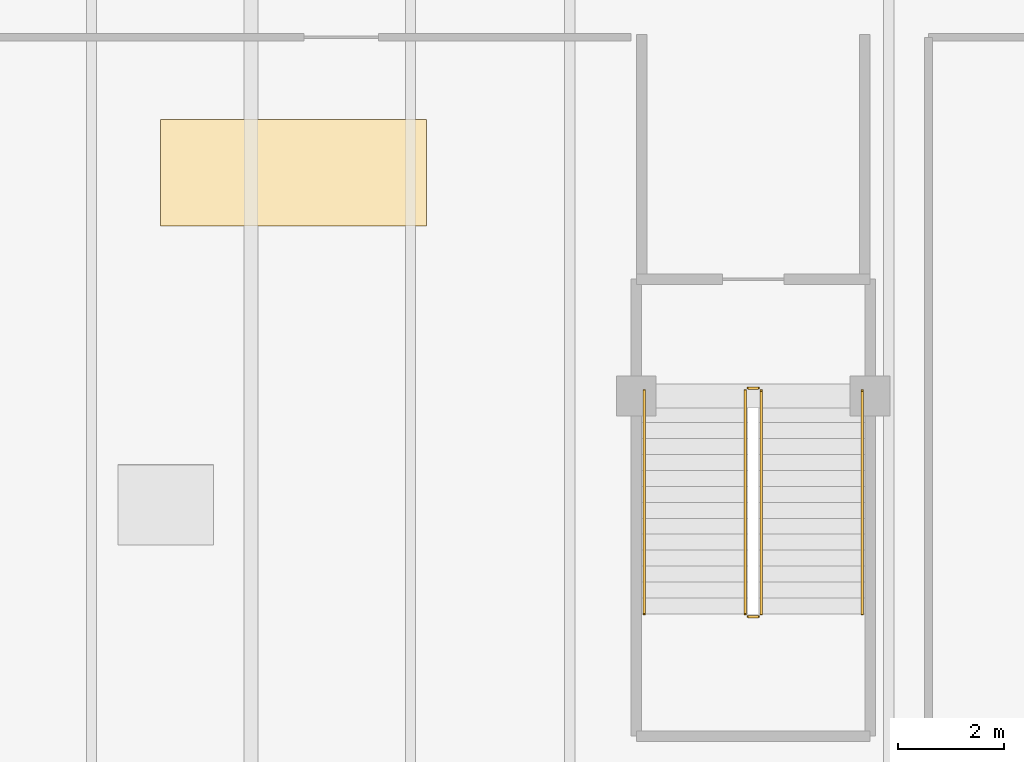
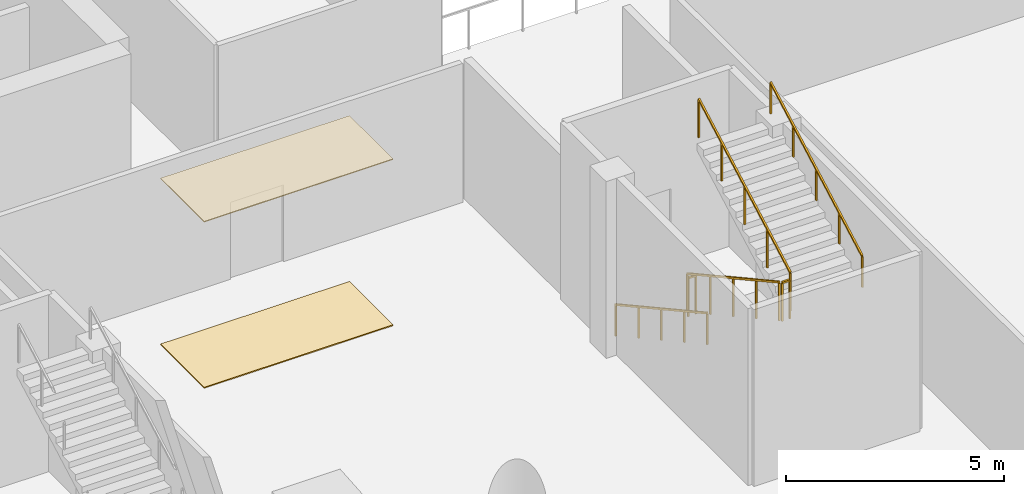
# One storey, part 17 of 24: 6 railings, 2 coverings.
"""IFC4 building model written with IfcOpenShell, lengths in metres."""

from ifc_helpers import new_model, si_unit, direction, frame, origin, origin_2d, place, context, subcontext, project, spatial, rectangle, extrude, material, layer, layer_set, type_object, element, save


model = new_model("IFC4")

# Units and contexts
model_context = context("Model", 3, precision=1e-05, world=origin(), true_north=direction((0.0, 1.0)))
body_context = subcontext(model_context, "Body", "Model", "MODEL_VIEW")
ifc_project = project(units=[si_unit("LENGTHUNIT", "METRE"), si_unit("AREAUNIT", "SQUARE_METRE"), si_unit("VOLUMEUNIT", "CUBIC_METRE"), si_unit("PLANEANGLEUNIT", "RADIAN"), si_unit("MASSUNIT", "GRAM", prefix="KILO")], contexts=[model_context])

# Site, building, storey
site_placement = place(None, origin())
site = spatial("IfcSite", under=ifc_project, at=site_placement, CompositionType="ELEMENT")
building_placement = place(site_placement, origin())
building = spatial("IfcBuilding", under=site, at=building_placement, Name="Tanjung Sevakor Pilgrim Tower", CompositionType="ELEMENT")
storey_placement = place(building_placement, frame((0.0, 0.0, 4.949951171875)))
storey = spatial("IfcBuildingStorey", under=building, at=storey_placement, Name="L02", CompositionType="ELEMENT", Elevation=4.949951171875)

# Coverings
ifc_material_1 = material(Name="Acoustic Gypsum Board Ceiling", Category="gypsum board")
ifc_layer_1 = layer(ifc_material_1, 0.02490234375)
ifc_layer_set_1 = layer_set([ifc_layer_1], Name="COV-CEIL-ACOUSTIC")
covering_type_1 = type_object("IfcCoveringType", Name="COV-CEIL-ACOUSTIC", PredefinedType="CEILING", material=ifc_layer_set_1)
covering_1_placement = place(storey_placement, frame((36.800048828125, 19.0, 4.6455078125), z_axis=(0.0, 0.0, 1.0), x_axis=(1.0, 0.0, 0.0)))
element("IfcCovering", 1, at=covering_1_placement, inside=storey, type_object=covering_type_1, Name="L02 Acoustic Suspended Ceiling", PredefinedType="CEILING", context=body_context, shape_type="SweptSolid", body=[
    extrude(rectangle(XDim=5.0, YDim=2.0, at=origin_2d()), origin(), (0.0, 0.0, 1.0), 0.02490234375),
])
ifc_material_2 = material(Name="Honed Limestone Terrazzo Flooring", Category="masonry")
ifc_layer_2 = layer(ifc_material_2, 0.030029296875)
ifc_layer_set_2 = layer_set([ifc_layer_2], Name="COV-FLOOR-TERRAZZO")
covering_type_2 = type_object("IfcCoveringType", Name="COV-FLOOR-TERRAZZO", PredefinedType="FLOORING", material=ifc_layer_set_2)
covering_2_placement = place(storey_placement, frame((36.800048828125, 19.0, 0.0), z_axis=(0.0, 0.0, 1.0), x_axis=(1.0, 0.0, 0.0)))
element("IfcCovering", 2, at=covering_2_placement, inside=storey, type_object=covering_type_2, Name="L02 Terrazzo Lobby Flooring", PredefinedType="FLOORING", context=body_context, shape_type="SweptSolid", body=[
    extrude(rectangle(XDim=5.0, YDim=2.0, at=origin_2d()), origin(), (0.0, 0.0, 1.0), 0.030029296875),
])

# Railings
ifc_material_3 = material(Name="Steel S355J2", Category="steel")
railing_type_1 = type_object("IfcRailingType", Name="RL-STAIR-GUARD", PredefinedType="GUARDRAIL", material=ifc_material_3)
railing_1_placement = place(storey_placement, frame((45.300048828125, 14.89990234375, 0.1650390625)))
element("IfcRailing", 3, at=railing_1_placement, inside=storey, type_object=railing_type_1, Name="L02 PS-3 stair guard 1", PredefinedType="GUARDRAIL", context=body_context, shape_type="SweptSolid", body=[
    extrude(rectangle(XDim=0.0479, YDim=0.0479), frame((0.0, 0.0, 1.076171875), z_axis=(0.0, -0.876208380975, 0.481932436249), x_axis=(1.0, 0.0, 0.0)), (0.0, 0.0, 1.0), 4.793212890625),
    extrude(rectangle(XDim=0.042, YDim=0.042), origin(), (0.0, 0.0, 1.0), 1.052001953125),
    extrude(rectangle(XDim=0.042, YDim=0.042), frame((0.0, -1.050048828125, 0.57763671875)), (0.0, 0.0, 1.0), 1.052001953125),
    extrude(rectangle(XDim=0.042, YDim=0.042), frame((0.0, -2.10009765625, 1.155029296875)), (0.0, 0.0, 1.0), 1.052001953125),
    extrude(rectangle(XDim=0.042, YDim=0.042), frame((0.0, -3.14990234375, 1.732421875)), (0.0, 0.0, 1.0), 1.052001953125),
    extrude(rectangle(XDim=0.042, YDim=0.042), frame((0.0, -4.199951171875, 2.31005859375)), (0.0, 0.0, 1.0), 1.052001953125),
])
railing_2_placement = place(storey_placement, frame((45.35009765625, 10.64990234375, 2.47509765625)))
element("IfcRailing", 4, at=railing_2_placement, inside=storey, type_object=railing_type_1, Name="L02 PS-3 stair guard 2", PredefinedType="GUARDRAIL", context=body_context, shape_type="SweptSolid", body=[
    extrude(rectangle(XDim=0.0479, YDim=0.0479), frame((0.0, 0.0, 1.076171875), z_axis=(1.0, 0.0, 0.0), x_axis=(0.0, 1.0, 0.0)), (0.0, 0.0, 1.0), 0.199951171875),
    extrude(rectangle(XDim=0.042, YDim=0.042), origin(), (0.0, 0.0, 1.0), 1.052001953125),
    extrude(rectangle(XDim=0.042, YDim=0.042), frame((0.199951171875, 0.0, 0.0)), (0.0, 0.0, 1.0), 1.052001953125),
])
railing_3_placement = place(storey_placement, frame((45.60009765625, 10.699951171875, 2.64013671875)))
element("IfcRailing", 5, at=railing_3_placement, inside=storey, type_object=railing_type_1, Name="L02 PS-3 stair guard 3", PredefinedType="GUARDRAIL", context=body_context, shape_type="SweptSolid", body=[
    extrude(rectangle(XDim=0.0479, YDim=0.0479), frame((0.0, 0.0, 1.076171875), z_axis=(0.0, 0.876229888469, 0.481893331094), x_axis=(-1.0, 0.0, 0.0)), (0.0, 0.0, 1.0), 4.793212890625),
    extrude(rectangle(XDim=0.042, YDim=0.042), origin(), (0.0, 0.0, 1.0), 1.052001953125),
    extrude(rectangle(XDim=0.042, YDim=0.042), frame((0.0, 1.050048828125, 0.577392578125)), (0.0, 0.0, 1.0), 1.052001953125),
    extrude(rectangle(XDim=0.042, YDim=0.042), frame((0.0, 2.10009765625, 1.15478515625)), (0.0, 0.0, 1.0), 1.052001953125),
    extrude(rectangle(XDim=0.042, YDim=0.042), frame((0.0, 3.14990234375, 1.732421875)), (0.0, 0.0, 1.0), 1.052001953125),
    extrude(rectangle(XDim=0.042, YDim=0.042), frame((0.0, 4.199951171875, 2.309814453125)), (0.0, 0.0, 1.0), 1.052001953125),
])
railing_4_placement = place(storey_placement, frame((45.35009765625, 14.949951171875, 0.0)))
element("IfcRailing", 6, at=railing_4_placement, inside=storey, type_object=railing_type_1, Name="L02 PS-3 stair guard 4", PredefinedType="GUARDRAIL", context=body_context, shape_type="SweptSolid", body=[
    extrude(rectangle(XDim=0.0479, YDim=0.0479), frame((0.0, 0.0, 1.076171875), z_axis=(1.0, 0.0, 0.0), x_axis=(0.0, 1.0, 0.0)), (0.0, 0.0, 1.0), 0.199951171875),
    extrude(rectangle(XDim=0.042, YDim=0.042), origin(), (0.0, 0.0, 1.0), 1.052001953125),
    extrude(rectangle(XDim=0.042, YDim=0.042), frame((0.199951171875, 0.0, 0.0)), (0.0, 0.0, 1.0), 1.052001953125),
])
ifc_material_4 = material(Name="Steel S355J2", Category="steel")
railing_type_2 = type_object("IfcRailingType", Name="RL-STAIR-HAND", PredefinedType="HANDRAIL", material=ifc_material_4)
railing_5_placement = place(storey_placement, frame((43.39990234375, 14.89990234375, 0.1650390625)))
element("IfcRailing", 7, at=railing_5_placement, inside=storey, type_object=railing_type_2, Name="L02 PS-3 stair handrail 1", PredefinedType="HANDRAIL", context=body_context, shape_type="SweptSolid", body=[
    extrude(rectangle(XDim=0.0479, YDim=0.0479), frame((0.0, 0.0, 0.8759765625), z_axis=(0.0, -0.876208380975, 0.481932436249), x_axis=(1.0, 0.0, 0.0)), (0.0, 0.0, 1.0), 4.793212890625),
    extrude(rectangle(XDim=0.042, YDim=0.042), origin(), (0.0, 0.0, 1.0), 0.851806640625),
    extrude(rectangle(XDim=0.042, YDim=0.042), frame((0.0, -1.050048828125, 0.57763671875)), (0.0, 0.0, 1.0), 0.851806640625),
    extrude(rectangle(XDim=0.042, YDim=0.042), frame((0.0, -2.10009765625, 1.155029296875)), (0.0, 0.0, 1.0), 0.851806640625),
    extrude(rectangle(XDim=0.042, YDim=0.042), frame((0.0, -3.14990234375, 1.732421875)), (0.0, 0.0, 1.0), 0.851806640625),
    extrude(rectangle(XDim=0.042, YDim=0.042), frame((0.0, -4.199951171875, 2.31005859375)), (0.0, 0.0, 1.0), 0.851806640625),
])
railing_6_placement = place(storey_placement, frame((47.5, 10.699951171875, 2.64013671875)))
element("IfcRailing", 8, at=railing_6_placement, inside=storey, type_object=railing_type_2, Name="L02 PS-3 stair handrail 2", PredefinedType="HANDRAIL", context=body_context, shape_type="SweptSolid", body=[
    extrude(rectangle(XDim=0.0479, YDim=0.0479), frame((0.0, 0.0, 0.8759765625), z_axis=(0.0, 0.876229888469, 0.481893331094), x_axis=(-1.0, 0.0, 0.0)), (0.0, 0.0, 1.0), 4.793212890625),
    extrude(rectangle(XDim=0.042, YDim=0.042), origin(), (0.0, 0.0, 1.0), 0.851806640625),
    extrude(rectangle(XDim=0.042, YDim=0.042), frame((0.0, 1.050048828125, 0.577392578125)), (0.0, 0.0, 1.0), 0.851806640625),
    extrude(rectangle(XDim=0.042, YDim=0.042), frame((0.0, 2.10009765625, 1.15478515625)), (0.0, 0.0, 1.0), 0.851806640625),
    extrude(rectangle(XDim=0.042, YDim=0.042), frame((0.0, 3.14990234375, 1.732421875)), (0.0, 0.0, 1.0), 0.851806640625),
    extrude(rectangle(XDim=0.042, YDim=0.042), frame((0.0, 4.199951171875, 2.309814453125)), (0.0, 0.0, 1.0), 0.851806640625),
])

save(model, "model.ifc")
